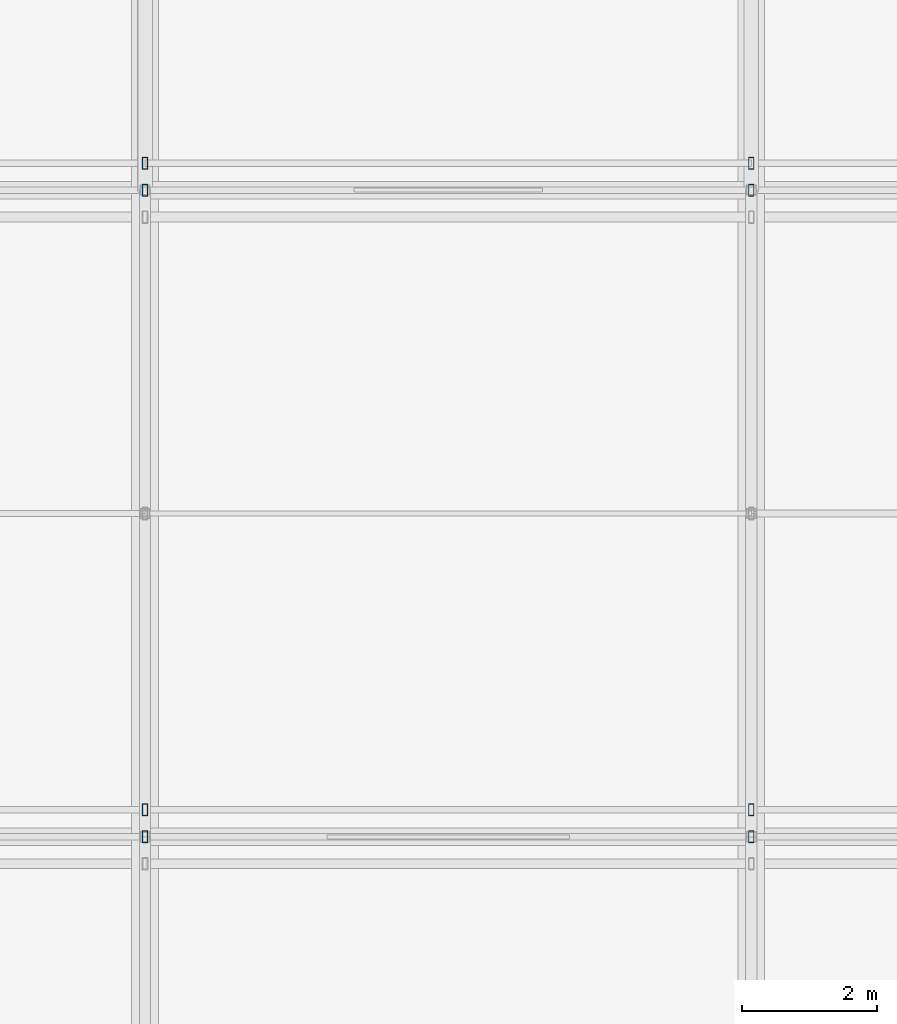
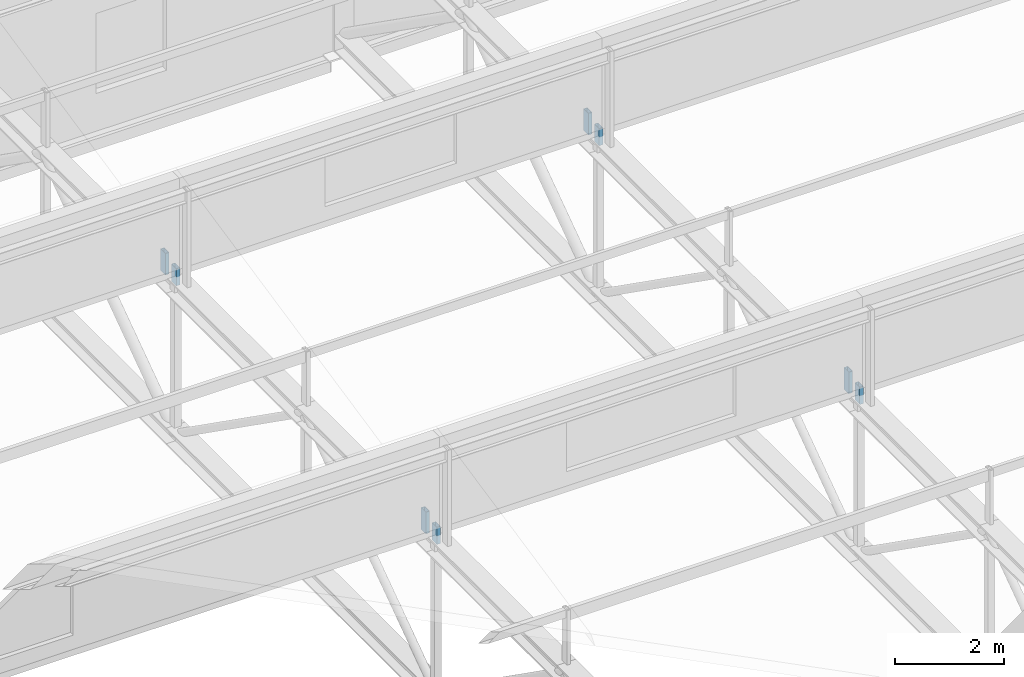
# One storey, part 85 of 136: 8 members.
"""IFC4 building model written with IfcOpenShell, lengths in metres."""

from ifc_helpers import new_model, si_unit, direction, frame, origin, origin_2d, place, context, subcontext, project, spatial, hollow_rectangle, extrude, material, material_profile, profile_set, type_object, element, save


model = new_model("IFC4")

# Units and contexts
model_context = context("Model", 3, precision=1e-05, world=origin(), true_north=direction((0.0, 1.0)))
body_context = subcontext(model_context, "Body", "Model", "MODEL_VIEW")
ifc_project = project(units=[si_unit("LENGTHUNIT", "METRE"), si_unit("AREAUNIT", "SQUARE_METRE"), si_unit("VOLUMEUNIT", "CUBIC_METRE"), si_unit("PLANEANGLEUNIT", "RADIAN"), si_unit("MASSUNIT", "GRAM", prefix="KILO")], contexts=[model_context])

# Site, building, storey
site_placement = place(None, origin())
site = spatial("IfcSite", under=ifc_project, at=site_placement, CompositionType="ELEMENT")
building_placement = place(site_placement, origin())
building = spatial("IfcBuilding", under=site, at=building_placement, Name="Kisiwana Market Hall", CompositionType="ELEMENT")
storey_placement = place(building_placement, frame((0.0, 0.0, 16.800048828125)))
storey = spatial("IfcBuildingStorey", under=building, at=storey_placement, Name="L03", CompositionType="ELEMENT", Elevation=16.800048828125)

# Members
ifc_material = material(Name="Steel S355", Category="steel")
ifc_material_profile = material_profile(ifc_material, hollow_rectangle(XDim=0.080078125, YDim=0.179931640625, WallThickness=0.00634765625, at=origin_2d()), Name="RHS 180x80x6.3")
ifc_profile_set = profile_set([ifc_material_profile], Name="Steel S355")
member_type = type_object("IfcMemberType", Name="MB-CAN-STRUT", PredefinedType="STRUT", material=ifc_profile_set)
for number, where, z_axis, x_axis, name in (
    (1, (81.0, 64.800048828125, 3.619873046875), (0.0, 0.0, 1.0), (1.0, 0.0, 0.0), "Sawtooth raker post 251 M-0280"),
    (2, (90.0, 64.800048828125, 3.619873046875), (0.0, 0.0, 1.0), (1.0, 0.0, 0.0), "Sawtooth raker post 254 M-0283"),
):
    element("IfcMember", number, at=place(storey_placement, frame(where, z_axis=z_axis, x_axis=x_axis)), inside=storey, type_object=member_type, Name=name, PredefinedType="STRUT", context=body_context, shape_type="SweptSolid", body=[
        extrude(hollow_rectangle(XDim=0.080078125, YDim=0.179931640625, WallThickness=0.00634765625, at=origin_2d()), origin(), (0.0, 0.0, 1.0), 0.385009765625),
    ])
member_1_placement = place(storey_placement, frame((81.0, 65.199951171875, 3.619873046875), z_axis=(0.0, 0.0, 1.0), x_axis=(1.0, 0.0, 0.0)))
element("IfcMember", 3, at=member_1_placement, inside=storey, type_object=member_type, Name="Sawtooth raker post 294 M-0302", PredefinedType="STRUT", context=body_context, shape_type="SweptSolid", body=[
    extrude(hollow_rectangle(XDim=0.080078125, YDim=0.179931640625, WallThickness=0.00634765625, at=origin_2d()), origin(), (0.0, 0.0, 1.0), 0.485107421875),
])
member_2_placement = place(storey_placement, frame((81.0, 74.39990234375, 3.619873046875), z_axis=(0.0, 0.0, 1.0), x_axis=(1.0, 0.0, 0.0)))
element("IfcMember", 4, at=member_2_placement, inside=storey, type_object=member_type, Name="Sawtooth raker post 296 M-0304", PredefinedType="STRUT", context=body_context, shape_type="SweptSolid", body=[
    extrude(hollow_rectangle(XDim=0.080078125, YDim=0.179931640625, WallThickness=0.00634765625, at=origin_2d()), origin(), (0.0, 0.0, 1.0), 0.385009765625),
])
member_3_placement = place(storey_placement, frame((90.0, 65.199951171875, 3.619873046875), z_axis=(0.0, 0.0, 1.0), x_axis=(1.0, 0.0, 0.0)))
element("IfcMember", 5, at=member_3_placement, inside=storey, type_object=member_type, Name="Sawtooth raker post 297 M-0305", PredefinedType="STRUT", context=body_context, shape_type="SweptSolid", body=[
    extrude(hollow_rectangle(XDim=0.080078125, YDim=0.179931640625, WallThickness=0.00634765625, at=origin_2d()), origin(), (0.0, 0.0, 1.0), 0.485107421875),
])
member_4_placement = place(storey_placement, frame((90.0, 74.39990234375, 3.619873046875), z_axis=(0.0, 0.0, 1.0), x_axis=(1.0, 0.0, 0.0)))
element("IfcMember", 6, at=member_4_placement, inside=storey, type_object=member_type, Name="Sawtooth raker post 299 M-0307", PredefinedType="STRUT", context=body_context, shape_type="SweptSolid", body=[
    extrude(hollow_rectangle(XDim=0.080078125, YDim=0.179931640625, WallThickness=0.00634765625, at=origin_2d()), origin(), (0.0, 0.0, 1.0), 0.385009765625),
])
for number, where, z_axis, x_axis, name in (
    (7, (81.0, 74.800048828125, 3.619873046875), (0.0, 0.0, 1.0), (1.0, 0.0, 0.0), "Sawtooth raker post 337 M-0324"),
    (8, (90.0, 74.800048828125, 3.619873046875), (0.0, 0.0, 1.0), (1.0, 0.0, 0.0), "Sawtooth raker post 339 M-0326"),
):
    element("IfcMember", number, at=place(storey_placement, frame(where, z_axis=z_axis, x_axis=x_axis)), inside=storey, type_object=member_type, Name=name, PredefinedType="STRUT", context=body_context, shape_type="SweptSolid", body=[
        extrude(hollow_rectangle(XDim=0.080078125, YDim=0.179931640625, WallThickness=0.00634765625, at=origin_2d()), origin(), (0.0, 0.0, 1.0), 0.485107421875),
    ])

save(model, "model.ifc")
